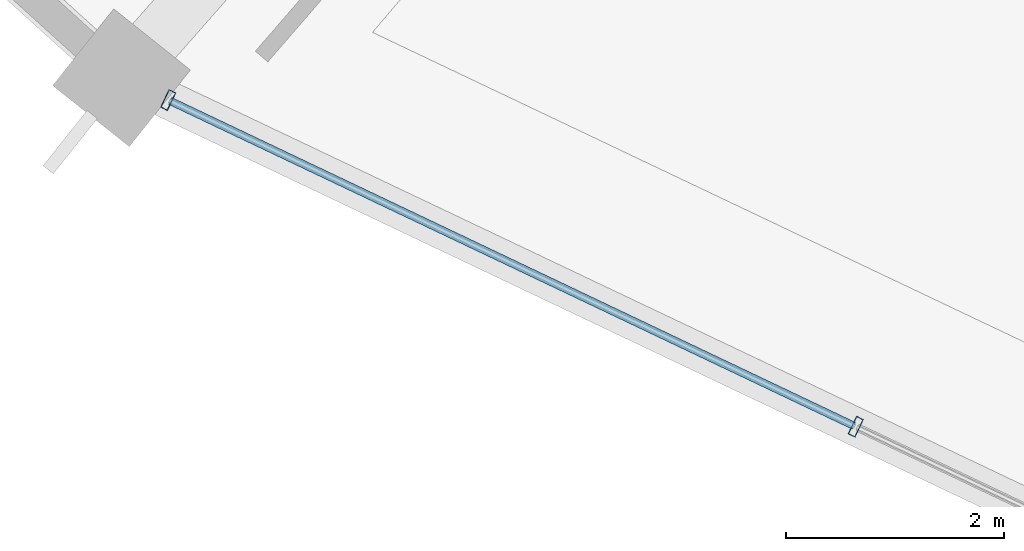
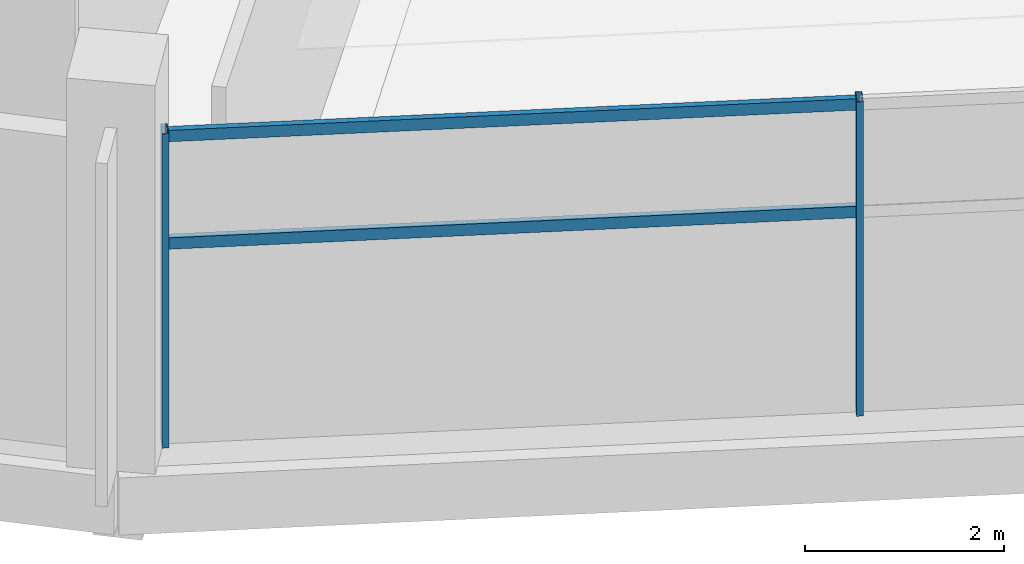
# One storey, part 3 of 156: 4 members, 1 element without a shape of its own.
"""IFC4 building model written with IfcOpenShell, lengths in metres."""

from ifc_helpers import new_model, si_unit, direction, frame, origin, origin_2d, place, context, subcontext, project, spatial, hollow_rectangle, extrude, material, layer, layer_set, material_profile, profile_set, type_object, element, aggregate, save


model = new_model("IFC4")

# Units and contexts
model_context = context("Model", 3, precision=1e-05, world=origin(), true_north=direction((0.0, 1.0)))
body_context = subcontext(model_context, "Body", "Model", "MODEL_VIEW")
ifc_project = project(units=[si_unit("LENGTHUNIT", "METRE"), si_unit("AREAUNIT", "SQUARE_METRE"), si_unit("VOLUMEUNIT", "CUBIC_METRE"), si_unit("PLANEANGLEUNIT", "RADIAN"), si_unit("MASSUNIT", "GRAM", prefix="KILO")], contexts=[model_context])

# Site, building, storey
site_placement = place(None, origin())
site = spatial("IfcSite", under=ifc_project, at=site_placement, CompositionType="ELEMENT")
building_placement = place(site_placement, origin())
building = spatial("IfcBuilding", under=site, at=building_placement, Name="Kazemori Nagisa Stadium", CompositionType="ELEMENT")
storey_placement = place(building_placement, frame((0.0, 0.0, 5.780029296875)))
storey = spatial("IfcBuildingStorey", under=building, at=storey_placement, Name="L01", CompositionType="ELEMENT", Elevation=5.780029296875)

# Curtain wall, members
ifc_material_1 = material(Name="Anodised aluminium 6063-T5", Category="aluminium")
ifc_layer = layer(ifc_material_1, 0.179931640625, Name="Anodised aluminium 6063-T5", Category="aluminium")
ifc_layer_set = layer_set([ifc_layer], Name="Anodised aluminium 6063-T5")
curtain_wall_type = type_object("IfcCurtainWallType", Name="CW_L01R3_105", PredefinedType="USERDEFINED", material=ifc_layer_set)
curtain_wall_placement = place(storey_placement, origin())
curtain_wall = element("IfcCurtainWall", 1, at=curtain_wall_placement, inside=storey, type_object=curtain_wall_type, Name="Unitised curtain wall CW-L01R3-105 L01", ObjectType="UNITISED CURTAIN WALL", PredefinedType="USERDEFINED")
ifc_material_2 = material(Name="Aluminium 6063-T5 anodised", Category="aluminium")
ifc_material_profile_1 = material_profile(ifc_material_2, hollow_rectangle(XDim=0.070068359375, YDim=0.179931640625, WallThickness=0.00390625, at=origin_2d()), Name="ALU-MULL-70x180x4")
ifc_profile_set_1 = profile_set([ifc_material_profile_1], Name="Aluminium 6063-T5 anodised")
member_type_1 = type_object("IfcMemberType", Name="Mullion_M01", PredefinedType="MULLION", material=ifc_profile_set_1)
member_1_placement = place(storey_placement, frame((60.8310546875, 30.737060546875, 0.0), z_axis=(0.0, 0.0, 1.0), x_axis=(0.903215892654, -0.429186499388, 0.0)))
member_1 = element("IfcMember", 2, at=member_1_placement, type_object=member_type_1, Name="Curtain wall mullion CW-L01R3-105-M1", PredefinedType="MULLION", context=body_context, shape_type="SweptSolid", body=[
    extrude(hollow_rectangle(XDim=0.070068359375, YDim=0.179931640625, WallThickness=0.00390625, at=origin_2d()), origin(), (0.0, 0.0, 1.0), 3.849853515625),
])
member_2_placement = place(storey_placement, frame((67.142822265625, 27.738037109375, 0.0), z_axis=(0.0, 0.0, 1.0), x_axis=(0.903215892654, -0.429186499388, 0.0)))
member_2 = element("IfcMember", 3, at=member_2_placement, type_object=member_type_1, Name="Curtain wall mullion CW-L01R3-105-M2", PredefinedType="MULLION", context=body_context, shape_type="SweptSolid", body=[
    extrude(hollow_rectangle(XDim=0.070068359375, YDim=0.179931640625, WallThickness=0.00390625, at=origin_2d()), origin(), (0.0, 0.0, 1.0), 3.849853515625),
])
ifc_material_profile_2 = material_profile(ifc_material_2, hollow_rectangle(XDim=0.070068359375, YDim=0.139892578125, WallThickness=0.00390625, at=origin_2d()), Name="ALU-TRAN-70x140x4")
ifc_profile_set_2 = profile_set([ifc_material_profile_2], Name="Aluminium 6063-T5 anodised")
member_type_2 = type_object("IfcMemberType", Name="Transom_T01", PredefinedType="USERDEFINED", material=ifc_profile_set_2)
member_3_placement = place(storey_placement, frame((60.84912109375, 30.728515625, 2.4638671875), z_axis=(0.903221322461, -0.429175072264, 0.0), x_axis=(0.429175072264, 0.903221322461, 0.0)))
member_3 = element("IfcMember", 4, at=member_3_placement, type_object=member_type_2, Name="Curtain wall transom CW-L01R3-105-T1-mid", ObjectType="TRANSOM", PredefinedType="USERDEFINED", context=body_context, shape_type="SweptSolid", body=[
    extrude(hollow_rectangle(XDim=0.070068359375, YDim=0.139892578125, WallThickness=0.00390625, at=origin_2d()), origin(), (0.0, 0.0, 1.0), 6.947998046875),
])
member_4_placement = place(storey_placement, frame((60.84912109375, 30.728515625, 3.780029296875), z_axis=(0.903221322461, -0.429175072264, 0.0), x_axis=(0.429175072264, 0.903221322461, 0.0)))
member_4 = element("IfcMember", 5, at=member_4_placement, type_object=member_type_2, Name="Curtain wall transom CW-L01R3-105-T1-head", ObjectType="TRANSOM", PredefinedType="USERDEFINED", context=body_context, shape_type="SweptSolid", body=[
    extrude(hollow_rectangle(XDim=0.070068359375, YDim=0.139892578125, WallThickness=0.00390625, at=origin_2d()), origin(), (0.0, 0.0, 1.0), 6.947998046875),
])
aggregate(curtain_wall, [member_1, member_2, member_3, member_4])

save(model, "model.ifc")
